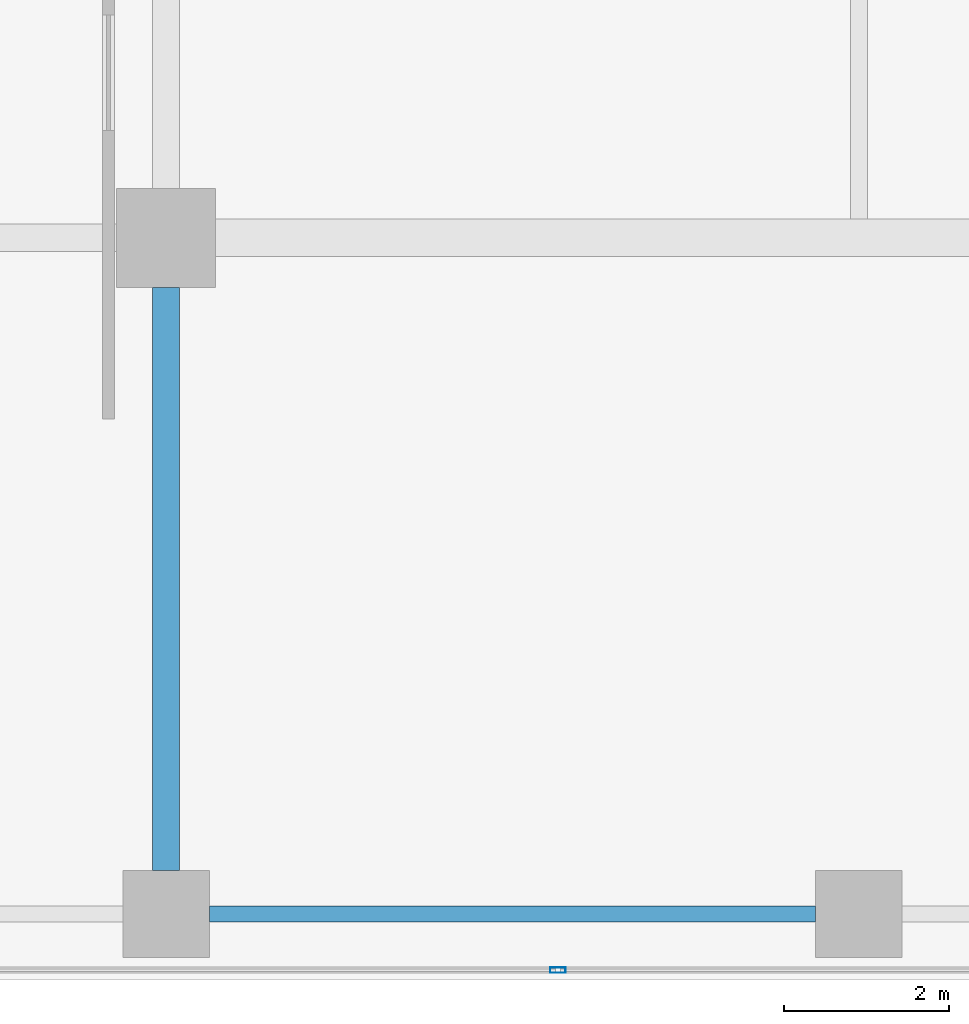
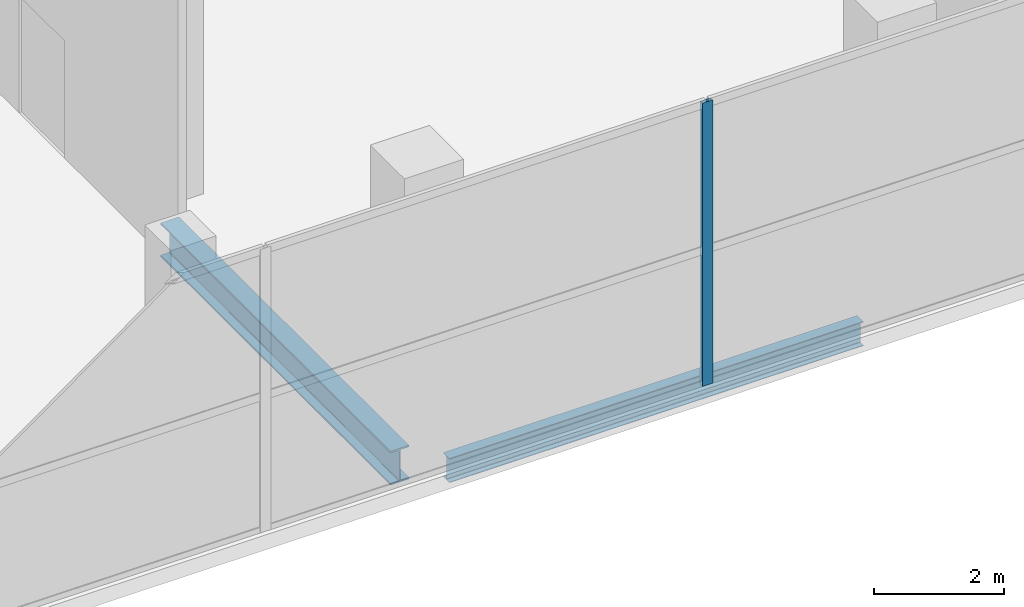
# One storey, part 7 of 40: 2 beams, 1 member, 1 element without a shape of its own.
"""IFC4 building model written with IfcOpenShell, lengths in metres."""

from ifc_helpers import new_model, si_unit, direction, frame, origin, origin_2d, place, context, subcontext, project, spatial, hollow_rectangle, i_section, extrude, material, layer, layer_set, material_profile, profile_set, type_object, element, aggregate, save


model = new_model("IFC4")

# Units and contexts
model_context = context("Model", 3, precision=1e-05, world=origin(), true_north=direction((0.0, 1.0)))
body_context = subcontext(model_context, "Body", "Model", "MODEL_VIEW")
ifc_project = project(units=[si_unit("LENGTHUNIT", "METRE"), si_unit("AREAUNIT", "SQUARE_METRE"), si_unit("VOLUMEUNIT", "CUBIC_METRE"), si_unit("PLANEANGLEUNIT", "RADIAN"), si_unit("MASSUNIT", "GRAM", prefix="KILO")], contexts=[model_context])

# Site, building, storey
site_placement = place(None, origin())
site = spatial("IfcSite", under=ifc_project, at=site_placement, CompositionType="ELEMENT")
building_placement = place(site_placement, origin())
building = spatial("IfcBuilding", under=site, at=building_placement, Name="Maruvema Waterfront Hotel and Observation Tower", CompositionType="ELEMENT")
storey_placement = place(building_placement, frame((0.0, 0.0, 10.85009765625)))
storey = spatial("IfcBuildingStorey", under=building, at=storey_placement, Name="L02", CompositionType="ELEMENT", Elevation=10.85009765625)

# Beam
ifc_material_1 = material(Name="Steel ASTM A572 Grade 50", Category="steel")
ifc_material_profile_1 = material_profile(ifc_material_1, i_section(OverallWidth=0.18994140625, OverallDepth=0.45703125, WebThickness=0.009033203125, FlangeThickness=0.014404296875, FilletRadius=0.014892578125, at=origin_2d()), Name="W460x74.0")
ifc_profile_set_1 = profile_set([ifc_material_profile_1], Name="Steel ASTM A572 Grade 50")
beam_type_1 = type_object("IfcBeamType", Name="Perimeter Spandrel Beam W460x74.0", PredefinedType="SPANDREL", material=ifc_profile_set_1)
beam_1_placement = place(storey_placement, frame((25.72509765625, 0.800048828125, -0.508544921875), z_axis=(1.0, 0.0, 0.0), x_axis=(0.0, 1.0, 0.0)))
element("IfcBeam", 1, at=beam_1_placement, inside=storey, type_object=beam_type_1, Name="L02 Floor Girder EW-04", PredefinedType="SPANDREL", context=body_context, shape_type="SweptSolid", body=[
    extrude(i_section(OverallWidth=0.18994140625, OverallDepth=0.45703125, WebThickness=0.009033203125, FlangeThickness=0.014404296875, FilletRadius=0.014892578125, at=origin_2d()), origin(), (0.0, 0.0, 1.0), 7.349853515625),
])

# Curtain wall, member
ifc_material_2 = material(Name="Anodised bronze aluminium and solar-control low-E IGU", Category="aluminium")
ifc_layer = layer(ifc_material_2, 0.159912109375, Name="Podium Waterfront Storefront Curtain Wall System CW-01")
ifc_layer_set = layer_set([ifc_layer], Name="Anodised bronze aluminium and solar-control low-E IGU")
curtain_wall_type = type_object("IfcCurtainWallType", Name="Podium Waterfront Storefront Curtain Wall System CW-01", PredefinedType="USERDEFINED", material=ifc_layer_set)
curtain_wall_placement = place(storey_placement, origin())
curtain_wall = element("IfcCurtainWall", 2, at=curtain_wall_placement, inside=storey, type_object=curtain_wall_type, Name="L02 Curtain Wall CW-L02-S", ObjectType="UNITISED CURTAIN WALL", PredefinedType="USERDEFINED")
ifc_material_3 = material(Name="Anodised architectural bronze aluminium", Category="aluminium")
ifc_material_profile_2 = material_profile(ifc_material_3, hollow_rectangle(XDim=0.070068359375, YDim=0.18994140625, WallThickness=0.00390625, at=origin_2d()), Name="ALU-M70x190")
ifc_profile_set_2 = profile_set([ifc_material_profile_2], Name="Anodised architectural bronze aluminium")
member_type = type_object("IfcMemberType", Name="Podium Storefront Heavy Mullion ALU-M70x190", PredefinedType="MULLION", material=ifc_profile_set_2)
member_placement = place(storey_placement, frame((29.949951171875, 0.1201171875, 0.0), z_axis=(0.0, 0.0, 1.0), x_axis=(0.0, 1.0, 0.0)))
member = element("IfcMember", 3, at=member_placement, type_object=member_type, Name="CW-01 mullion 4", PredefinedType="MULLION", context=body_context, shape_type="SweptSolid", body=[
    extrude(hollow_rectangle(XDim=0.070068359375, YDim=0.18994140625, WallThickness=0.00390625, at=origin_2d()), origin(), (0.0, 0.0, 1.0), 5.31982421875),
])
aggregate(curtain_wall, [member])

# Beam
ifc_material_4 = material(Name="Steel ASTM A572 Grade 50", Category="steel")
ifc_material_profile_3 = material_profile(ifc_material_4, i_section(OverallWidth=0.3291015625, OverallDepth=0.635009765625, WebThickness=0.017822265625, FlangeThickness=0.031005859375, FilletRadius=0.01806640625, at=origin_2d()), Name="W610x241.0")
ifc_profile_set_3 = profile_set([ifc_material_profile_3], Name="Steel ASTM A572 Grade 50")
beam_type_2 = type_object("IfcBeamType", Name="Primary Floor Girder W610x241.0", PredefinedType="BEAM", material=ifc_profile_set_3)
beam_2_placement = place(storey_placement, frame((25.199951171875, 1.324951171875, -0.59765625), z_axis=(0.0, 1.0, 0.0), x_axis=(-1.0, 0.0, 0.0)))
element("IfcBeam", 4, at=beam_2_placement, inside=storey, type_object=beam_type_2, Name="L02 Floor Girder NS-13", PredefinedType="BEAM", context=body_context, shape_type="SweptSolid", body=[
    extrude(i_section(OverallWidth=0.3291015625, OverallDepth=0.635009765625, WebThickness=0.017822265625, FlangeThickness=0.031005859375, FilletRadius=0.01806640625, at=origin_2d()), origin(), (0.0, 0.0, 1.0), 7.074951171875),
])

save(model, "model.ifc")
